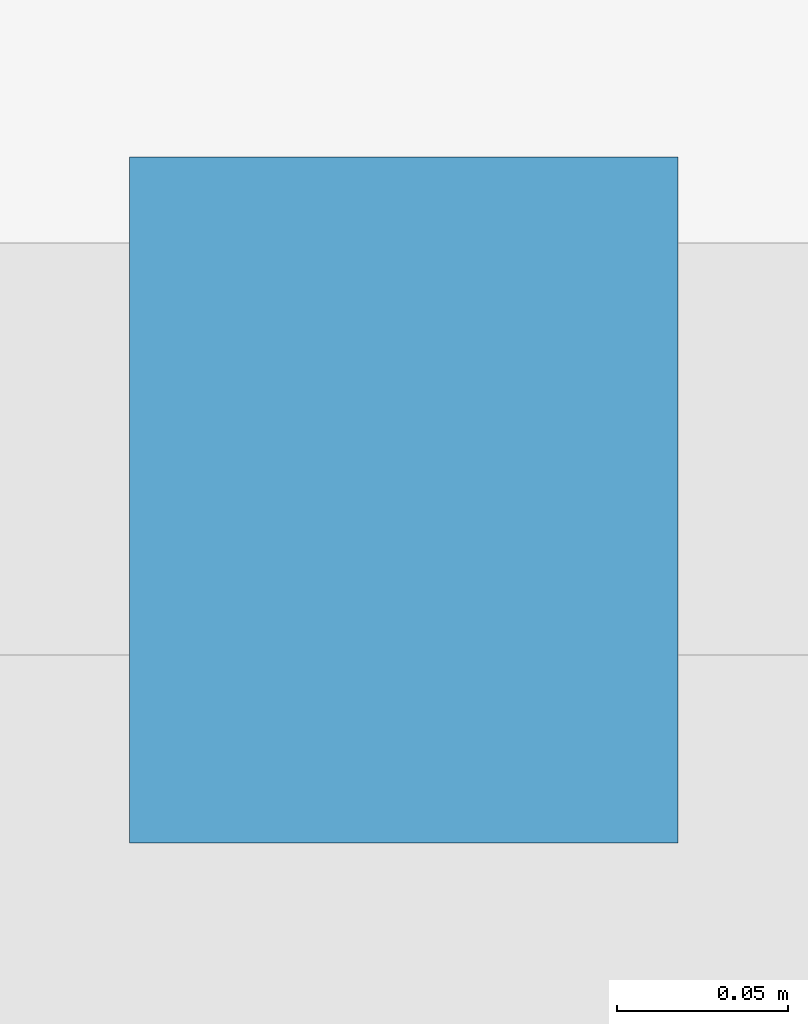
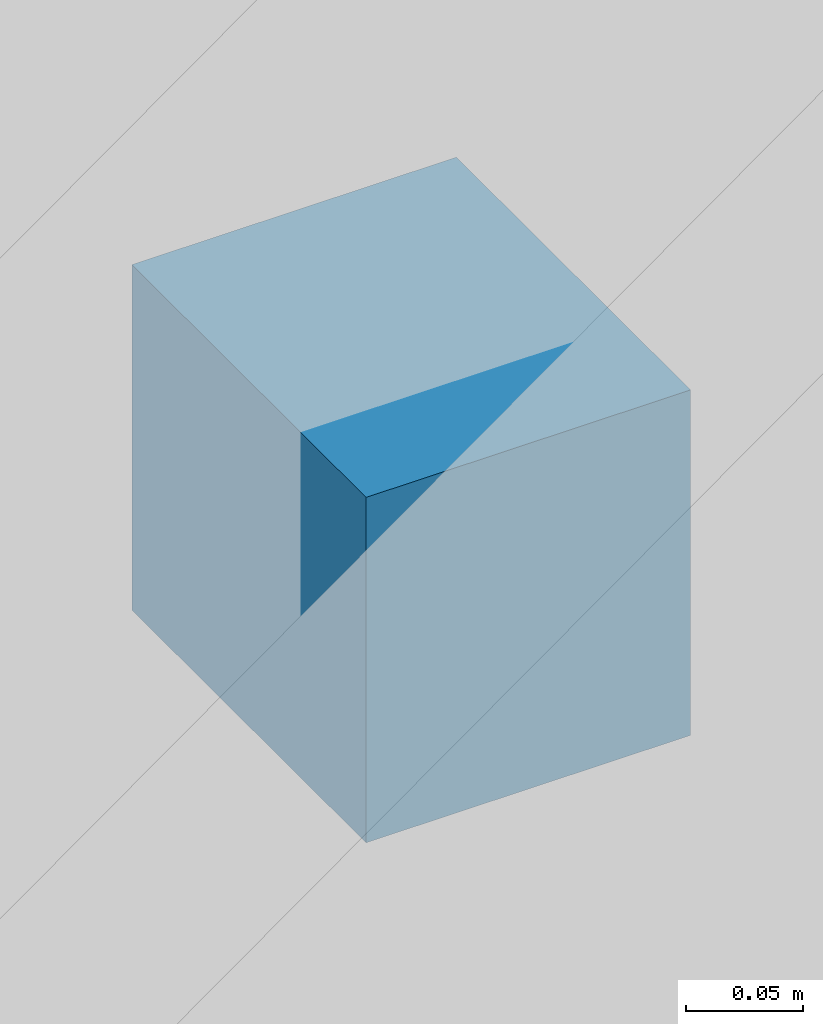
# One storey, part 9 of 12: 1 discrete accessory.
"""IFC4 building model written with IfcOpenShell, lengths in metres."""

from ifc_helpers import new_model, si_unit, direction, frame, origin, origin_2d, place, context, subcontext, project, spatial, rectangle, extrude, material, type_object, element, save


model = new_model("IFC4")

# Units and contexts
model_context = context("Model", 3, precision=1e-05, world=origin(), true_north=direction((0.0, 1.0)))
body_context = subcontext(model_context, "Body", "Model", "MODEL_VIEW")
ifc_project = project(units=[si_unit("LENGTHUNIT", "METRE"), si_unit("AREAUNIT", "SQUARE_METRE"), si_unit("VOLUMEUNIT", "CUBIC_METRE"), si_unit("PLANEANGLEUNIT", "RADIAN"), si_unit("MASSUNIT", "GRAM", prefix="KILO")], contexts=[model_context])

# Site, building, storey
site_placement = place(None, origin())
site = spatial("IfcSite", under=ifc_project, at=site_placement, CompositionType="ELEMENT")
building_placement = place(site_placement, origin())
building = spatial("IfcBuilding", under=site, at=building_placement, Name="Koriwani Terraces Tower", CompositionType="ELEMENT")
storey_placement = place(building_placement, frame((0.0, 0.0, 351.5)))
storey = spatial("IfcBuildingStorey", under=building, at=storey_placement, Name="L87", CompositionType="ELEMENT", Elevation=351.5)

# Discrete accessory
ifc_material = material(Name="Steel ASTM A572 Grade 50", Category="steel")
discrete_accessory_type = type_object("IfcDiscreteAccessoryType", Name="BAGUETTE_STANDOFF_BRACKET", PredefinedType="BRACKET", material=ifc_material)
discrete_accessory_placement = place(storey_placement, frame((46.199951171875, 8.7900390625, 1.7451171875), z_axis=(0.0, 0.0, 1.0), x_axis=(-1.0, 0.0, 0.0)))
element("IfcDiscreteAccessory", 1, at=discrete_accessory_placement, inside=storey, type_object=discrete_accessory_type, Name="L87 Terracotta Baguette Bracket (S-12)", PredefinedType="BRACKET", context=body_context, shape_type="SweptSolid", body=[
    extrude(rectangle(XDim=0.159912109375, YDim=0.199951171875, at=origin_2d()), origin(), (0.0, 0.0, 1.0), 0.179931640625),
])

save(model, "model.ifc")
